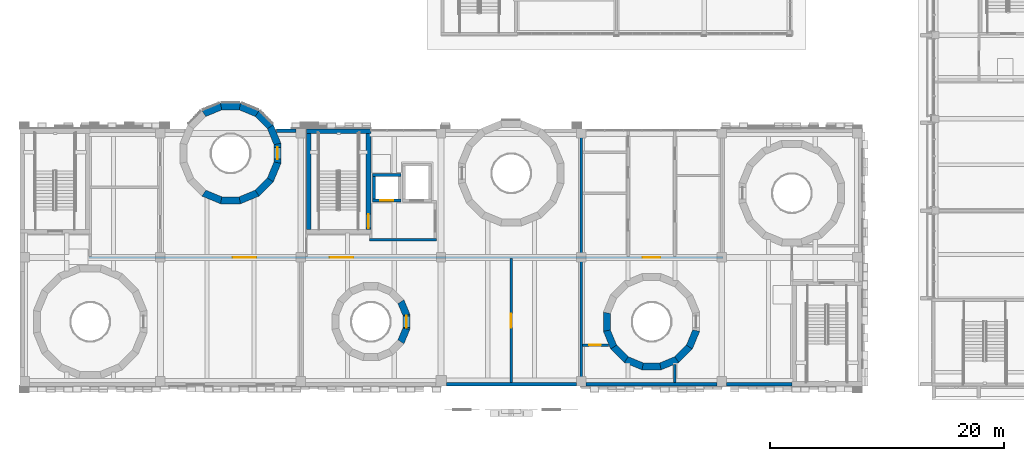
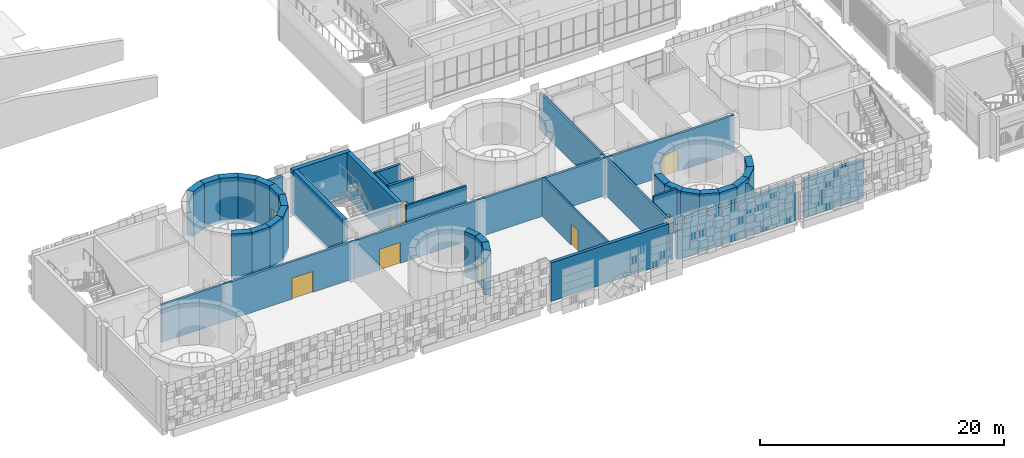
# One storey, part 47 of 92: 38 walls, 9 doors, 9 openings.
"""IFC4 building model written with IfcOpenShell, lengths in metres."""

from ifc_helpers import new_model, si_unit, direction, frame, frame_2d, origin, place, context, subcontext, project, spatial, polyline, rectangle, outline, extrude, material, layer, layer_set, type_object, element, fill, save


model = new_model("IFC4")

# Units and contexts
model_context = context("Model", 3, precision=1e-05, world=origin(), true_north=direction((0.0, 1.0)))
body_context = subcontext(model_context, "Body", "Model", "MODEL_VIEW")
ifc_project = project(units=[si_unit("LENGTHUNIT", "METRE"), si_unit("AREAUNIT", "SQUARE_METRE"), si_unit("VOLUMEUNIT", "CUBIC_METRE"), si_unit("PLANEANGLEUNIT", "RADIAN"), si_unit("MASSUNIT", "GRAM", prefix="KILO")], contexts=[model_context])

# Site, building, storey
site_placement = place(None, origin())
site = spatial("IfcSite", under=ifc_project, at=site_placement, CompositionType="ELEMENT")
building_placement = place(site_placement, origin())
building = spatial("IfcBuilding", under=site, at=building_placement, Name="Sun Court Science Centre", CompositionType="ELEMENT")
storey_placement = place(building_placement, frame((0.0, 0.0, 11.25)))
storey = spatial("IfcBuildingStorey", under=building, at=storey_placement, Name="L02", CompositionType="ELEMENT", Elevation=11.25)

# Walls
ifc_material_1 = material(Name="Clay masonry", Category="masonry")
ifc_layer_1 = layer(ifc_material_1, 0.300048828125)
ifc_layer_set_1 = layer_set([ifc_layer_1], Name="Clay masonry")
wall_type_1 = type_object("IfcWallType", Name="Clay masonry infill wall 300", PredefinedType="SOLIDWALL", material=ifc_layer_set_1)
wall_1_placement = place(storey_placement, frame((66.0, 6.14990234375, 0.0), z_axis=(0.0, 0.0, 1.0), x_axis=(-1.0, 0.0, 0.0)))
element("IfcWall", 1, at=wall_1_placement, inside=storey, type_object=wall_type_1, Name="External infill wall L02 south face 01", PredefinedType="SOLIDWALL", context=body_context, shape_type="SweptSolid", body=[
    extrude(rectangle(XDim=5.60009765625, YDim=0.300048828125, at=frame_2d((2.800048828125, 0.0))), origin(), (0.0, 0.0, 1.0), 3.860107421875),
])
wall_2_placement = place(storey_placement, frame((59.60009765625, 6.14990234375, 0.0), z_axis=(0.0, 0.0, 1.0), x_axis=(-1.0, 0.0, 0.0)))
element("IfcWall", 2, at=wall_2_placement, inside=storey, type_object=wall_type_1, Name="External infill wall L02 south face 02", PredefinedType="SOLIDWALL", context=body_context, shape_type="SweptSolid", body=[
    extrude(rectangle(XDim=11.2001953125, YDim=0.300048828125, at=frame_2d((5.60009765625, 0.0))), origin(), (0.0, 0.0, 1.0), 3.860107421875),
])
wall_3_placement = place(storey_placement, frame((47.60009765625, 6.14990234375, 0.0), z_axis=(0.0, 0.0, 1.0), x_axis=(-1.0, 0.0, 0.0)))
element("IfcWall", 3, at=wall_3_placement, inside=storey, type_object=wall_type_1, Name="External infill wall L02 south face 03", PredefinedType="SOLIDWALL", context=body_context, shape_type="SweptSolid", body=[
    extrude(rectangle(XDim=11.150146484375, YDim=0.300048828125, at=frame_2d((5.5751953125, 0.0))), origin(), (0.0, 0.0, 1.0), 3.860107421875),
])
wall_4_placement = place(storey_placement, frame((21.925537109375, 27.85009765625, 0.0), z_axis=(0.0, 0.0, 1.0), x_axis=(1.0, 0.0, 0.0)))
element("IfcWall", 4, at=wall_4_placement, inside=storey, type_object=wall_type_1, Name="External infill wall L02 north face 03", PredefinedType="SOLIDWALL", context=body_context, shape_type="SweptSolid", body=[
    extrude(rectangle(XDim=1.674560546875, YDim=0.300048828125, at=frame_2d((0.83740234375, 0.0))), origin(), (0.0, 0.0, 1.0), 3.860107421875),
])

# Wall, openings, doors
ifc_material_2 = material(Name="Concrete block", Category="concrete")
ifc_layer_2 = layer(ifc_material_2, 0.199951171875)
ifc_layer_set_2 = layer_set([ifc_layer_2], Name="Concrete block")
wall_type_2 = type_object("IfcWallType", Name="Partition 200 block EI60", PredefinedType="PARTITIONING", material=ifc_layer_set_2)
wall_5_placement = place(storey_placement, frame((5.89990234375, 17.0, 0.0), z_axis=(0.0, 0.0, 1.0), x_axis=(1.0, 0.0, 0.0)))
wall_5 = element("IfcWall", 5, at=wall_5_placement, inside=storey, type_object=wall_type_2, Name="L02 partition 002", PredefinedType="PARTITIONING", context=body_context, shape_type="SweptSolid", body=[
    extrude(rectangle(XDim=54.2001953125, YDim=0.199951171875, at=frame_2d((27.10009765625, 0.0))), origin(), (0.0, 0.0, 1.0), 3.75),
])
opening_1_placement = place(wall_5_placement, frame((12.300048828125, 0.0, 0.0)))
opening_1 = element("IfcOpeningElement", 6, at=opening_1_placement, cuts=wall_5, Name="Opening D-L02-012", PredefinedType="OPENING", context=body_context, shape_type="SweptSolid", body=[
    extrude(rectangle(XDim=2.0, YDim=2.10009765625, at=frame_2d((1.0, 1.050048828125))), frame((0.0, 0.10986328125, 0.0), z_axis=(0.0, -1.0, 0.0), x_axis=(1.0, 0.0, 0.0)), (0.0, 0.0, 1.0), 0.219970703125),
])
opening_2_placement = place(wall_5_placement, frame((20.59912109375, 0.0, 0.0)))
opening_2 = element("IfcOpeningElement", 7, at=opening_2_placement, cuts=wall_5, Name="Opening D-L02-015", PredefinedType="OPENING", context=body_context, shape_type="SweptSolid", body=[
    extrude(rectangle(XDim=2.0, YDim=2.10009765625, at=frame_2d((1.0, 1.050048828125))), frame((0.0, 0.10986328125, 0.0), z_axis=(0.0, -1.0, 0.0), x_axis=(1.0, 0.0, 0.0)), (0.0, 0.0, 1.0), 0.219970703125),
])
opening_3_placement = place(wall_5_placement, frame((47.35009765625, 0.0, 0.0)))
opening_3 = element("IfcOpeningElement", 8, at=opening_3_placement, cuts=wall_5, Name="Opening D-L02-019", PredefinedType="OPENING", context=body_context, shape_type="SweptSolid", body=[
    extrude(rectangle(XDim=1.5, YDim=2.10009765625, at=frame_2d((0.75, 1.050048828125))), frame((0.0, 0.10986328125, 0.0), z_axis=(0.0, -1.0, 0.0), x_axis=(1.0, 0.0, 0.0)), (0.0, 0.0, 1.0), 0.219970703125),
])
ifc_material_3 = material(Name="Timber", Category="wood")
door_type_1 = type_object("IfcDoorType", Name="Door 1500x2100 double leaf", OperationType="DOUBLE_DOOR_SINGLE_SWING", PredefinedType="DOOR", material=ifc_material_3)
door_1_placement = place(opening_3_placement, origin())
door_1 = element("IfcDoor", 9, at=door_1_placement, inside=storey, type_object=door_type_1, Name="Door D-L02-019", OperationType="DOUBLE_DOOR_SINGLE_SWING", OverallHeight=2.10009765625, OverallWidth=1.5, PredefinedType="DOOR", context=body_context, shape_type="SweptSolid", body=[
    extrude(rectangle(XDim=1.5, YDim=2.10009765625, at=frame_2d((0.75, 1.050048828125))), frame((0.0, 0.02490234375, 0.0), z_axis=(0.0, -1.0, 0.0), x_axis=(1.0, 0.0, 0.0)), (0.0, 0.0, 1.0), 0.050048828125),
])
fill(opening_3, door_1)
ifc_material_4 = material(Name="Timber", Category="wood")
door_type_2 = type_object("IfcDoorType", Name="Door 2000x2100 double leaf", OperationType="DOUBLE_DOOR_SINGLE_SWING", PredefinedType="DOOR", material=ifc_material_4)
door_2_placement = place(opening_1_placement, origin())
door_2 = element("IfcDoor", 10, at=door_2_placement, inside=storey, type_object=door_type_2, Name="Door D-L02-012", OperationType="DOUBLE_DOOR_SINGLE_SWING", OverallHeight=2.10009765625, OverallWidth=2.0, PredefinedType="DOOR", context=body_context, shape_type="SweptSolid", body=[
    extrude(rectangle(XDim=2.0, YDim=2.10009765625, at=frame_2d((1.0, 1.050048828125))), frame((0.0, 0.02490234375, 0.0), z_axis=(0.0, -1.0, 0.0), x_axis=(1.0, 0.0, 0.0)), (0.0, 0.0, 1.0), 0.050048828125),
])
fill(opening_1, door_2)
door_3_placement = place(opening_2_placement, origin())
door_3 = element("IfcDoor", 11, at=door_3_placement, inside=storey, type_object=door_type_2, Name="Door D-L02-015", OperationType="DOUBLE_DOOR_SINGLE_SWING", OverallHeight=2.10009765625, OverallWidth=2.0, PredefinedType="DOOR", context=body_context, shape_type="SweptSolid", body=[
    extrude(rectangle(XDim=2.0, YDim=2.10009765625, at=frame_2d((1.0, 1.050048828125))), frame((0.0, 0.02490234375, 0.0), z_axis=(0.0, -1.0, 0.0), x_axis=(1.0, 0.0, 0.0)), (0.0, 0.0, 1.0), 0.050048828125),
])
fill(opening_2, door_3)

# Wall
wall_6_placement = place(storey_placement, frame((29.89990234375, 18.5, 0.0), z_axis=(0.0, 0.0, 1.0), x_axis=(1.0, 0.0, 0.0)))
element("IfcWall", 12, at=wall_6_placement, inside=storey, type_object=wall_type_2, Name="L02 partition 004", PredefinedType="PARTITIONING", context=body_context, shape_type="SweptSolid", body=[
    extrude(rectangle(XDim=5.7001953125, YDim=0.199951171875, at=frame_2d((2.85009765625, 0.0))), origin(), (0.0, 0.0, 1.0), 4.35009765625),
])

# Wall, opening, door
wall_7_placement = place(storey_placement, frame((42.0, 16.89990234375, 0.0), z_axis=(0.0, 0.0, 1.0), x_axis=(0.0, -1.0, 0.0)))
wall_7 = element("IfcWall", 13, at=wall_7_placement, inside=storey, type_object=wall_type_2, Name="L02 partition 016", PredefinedType="PARTITIONING", context=body_context, shape_type="SweptSolid", body=[
    extrude(rectangle(XDim=10.597900390625, YDim=0.199951171875, at=frame_2d((5.298828125, 0.0))), origin(), (0.0, 0.0, 1.0), 3.860107421875),
])
opening_4_placement = place(wall_7_placement, frame((4.699951171875, 0.0, 0.0)))
opening_4 = element("IfcOpeningElement", 14, at=opening_4_placement, cuts=wall_7, Name="Opening D-L02-016", PredefinedType="OPENING", context=body_context, shape_type="SweptSolid", body=[
    extrude(rectangle(XDim=1.199951171875, YDim=2.10009765625, at=frame_2d((0.60009765625, 1.050048828125))), frame((0.0, 0.10986328125, 0.0), z_axis=(0.0, -1.0, 0.0), x_axis=(1.0, 0.0, 0.0)), (0.0, 0.0, 1.0), 0.219970703125),
])
ifc_material_5 = material(Name="Steel", Category="steel")
door_type_3 = type_object("IfcDoorType", Name="Door 1200x2100 single leaf FD30S", OperationType="NOTDEFINED", PredefinedType="DOOR", material=ifc_material_5)
door_4_placement = place(opening_4_placement, origin())
door_4 = element("IfcDoor", 15, at=door_4_placement, inside=storey, type_object=door_type_3, Name="Door D-L02-016", OperationType="SINGLE_SWING_LEFT", OverallHeight=2.10009765625, OverallWidth=1.199951171875, PredefinedType="DOOR", context=body_context, shape_type="SweptSolid", body=[
    extrude(rectangle(XDim=1.199951171875, YDim=2.10009765625, at=frame_2d((0.60009765625, 1.050048828125))), frame((0.0, 0.02490234375, 0.0), z_axis=(0.0, -1.0, 0.0), x_axis=(1.0, 0.0, 0.0)), (0.0, 0.0, 1.0), 0.050048828125),
])
fill(opening_4, door_4)

ifc_material_6 = material(Name="Gypsum board")
ifc_layer_3 = layer(ifc_material_6, 0.199951171875)
ifc_layer_set_3 = layer_set([ifc_layer_3], Name="Gypsum board")
wall_type_3 = type_object("IfcWallType", Name="Partition 200 stud EI30", PredefinedType="PARTITIONING", material=ifc_layer_set_3)
wall_8_placement = place(storey_placement, frame((50.332275390625, 9.5, 0.0), z_axis=(0.0, 0.0, 1.0), x_axis=(-1.0, 0.0, 0.0)))
wall_8 = element("IfcWall", 16, at=wall_8_placement, inside=storey, type_object=wall_type_3, Name="L02 partition 001", PredefinedType="PARTITIONING", context=body_context, shape_type="SweptSolid", body=[
    extrude(rectangle(XDim=2.232177734375, YDim=0.199951171875, at=frame_2d((1.1162109375, 0.0))), origin(), (0.0, 0.0, 1.0), 4.35009765625),
])
opening_5_placement = place(wall_8_placement, frame((0.67333984375, 0.0, 0.0)))
opening_5 = element("IfcOpeningElement", 17, at=opening_5_placement, cuts=wall_8, Name="Opening D-L02-018", PredefinedType="OPENING", context=body_context, shape_type="SweptSolid", body=[
    extrude(rectangle(XDim=1.0, YDim=2.10009765625, at=frame_2d((0.5, 1.050048828125))), frame((0.0, 0.10986328125, 0.0), z_axis=(0.0, -1.0, 0.0), x_axis=(1.0, 0.0, 0.0)), (0.0, 0.0, 1.0), 0.219970703125),
])
ifc_material_7 = material(Name="Timber", Category="wood")
door_type_4 = type_object("IfcDoorType", Name="Door 1000x2100 single leaf", OperationType="NOTDEFINED", PredefinedType="DOOR", material=ifc_material_7)
door_5_placement = place(opening_5_placement, origin())
door_5 = element("IfcDoor", 18, at=door_5_placement, inside=storey, type_object=door_type_4, Name="Door D-L02-018", OperationType="SINGLE_SWING_LEFT", OverallHeight=2.10009765625, OverallWidth=1.0, PredefinedType="DOOR", context=body_context, shape_type="SweptSolid", body=[
    extrude(rectangle(XDim=1.0, YDim=2.10009765625, at=frame_2d((0.5, 1.050048828125))), frame((0.0, 0.02490234375, 0.0), z_axis=(0.0, -1.0, 0.0), x_axis=(1.0, 0.0, 0.0)), (0.0, 0.0, 1.0), 0.050048828125),
])
fill(opening_5, door_5)

# Walls
wall_9_placement = place(storey_placement, frame((56.0, 6.302001953125, 0.0), z_axis=(0.0, 0.0, 1.0), x_axis=(0.0, 1.0, 0.0)))
element("IfcWall", 19, at=wall_9_placement, inside=storey, type_object=wall_type_3, Name="L02 partition 012", PredefinedType="PARTITIONING", context=body_context, shape_type="SweptSolid", body=[
    extrude(rectangle(XDim=1.5302734375, YDim=0.199951171875, at=frame_2d((0.76513671875, 0.0))), origin(), (0.0, 0.0, 1.0), 3.860107421875),
])
wall_10_placement = place(storey_placement, frame((48.0, 6.199951171875, 0.0), z_axis=(0.0, 0.0, 1.0), x_axis=(0.0, 1.0, 0.0)))
element("IfcWall", 20, at=wall_10_placement, inside=storey, type_object=wall_type_3, Name="L02 partition 015", PredefinedType="PARTITIONING", context=body_context, shape_type="SweptSolid", body=[
    extrude(rectangle(XDim=21.60009765625, YDim=0.199951171875, at=frame_2d((10.800048828125, 0.0))), origin(), (0.0, 0.0, 1.0), 3.75),
])
ifc_material_8 = material(Name="Concrete C30/37", Category="concrete")
ifc_layer_4 = layer(ifc_material_8, 0.60009765625)
ifc_layer_set_4 = layer_set([ifc_layer_4], Name="Concrete C30/37")
wall_type_4 = type_object("IfcWallType", Name="RC cone ring wall 600", PredefinedType="SHEAR", material=ifc_layer_set_4)
wall_11_placement = place(storey_placement, frame((22.038330078125, 26.6435546875, -0.300048828125), z_axis=(0.0, 0.0, 1.0), x_axis=(-0.382665770144, 0.923886848245, 0.0)))
element("IfcWall", 21, at=wall_11_placement, inside=storey, type_object=wall_type_4, Name="Cone 2 ring wall L02 segment 1", PredefinedType="SHEAR", context=body_context, shape_type="SweptSolid", body=[
    extrude(outline(polyline([(0.0, -0.2998046875), (1.716796875, -0.2998046875), (1.597412109375, 0.300048828125), (0.119140625, 0.300048828125), (0.0, -0.2998046875)])), origin(), (0.0, 0.0, 1.0), 4.5),
])
wall_12_placement = place(storey_placement, frame((21.4462890625, 28.13232421875, -0.300048828125), z_axis=(0.0, 0.0, 1.0), x_axis=(-0.707035675874, 0.707177879349, 0.0)))
element("IfcWall", 22, at=wall_12_placement, inside=storey, type_object=wall_type_4, Name="Cone 2 ring wall L02 segment 2", PredefinedType="SHEAR", context=body_context, shape_type="SweptSolid", body=[
    extrude(outline(polyline([(0.0, -0.300048828125), (1.716796875, -0.300048828125), (1.597412109375, 0.30029296875), (0.119140625, 0.2998046875), (0.0, -0.300048828125)])), origin(), (0.0, 0.0, 1.0), 4.5),
])
wall_13_placement = place(storey_placement, frame((20.32958984375, 29.28125, -0.300048828125), z_axis=(0.0, 0.0, 1.0), x_axis=(-0.923866021052, 0.382716050285, 0.0)))
element("IfcWall", 23, at=wall_13_placement, inside=storey, type_object=wall_type_4, Name="Cone 2 ring wall L02 segment 3", PredefinedType="SHEAR", context=body_context, shape_type="SweptSolid", body=[
    extrude(outline(polyline([(0.0, -0.30029296875), (1.716796875, -0.300048828125), (1.597412109375, 0.300048828125), (0.119384765625, 0.300048828125), (0.0, -0.30029296875)])), origin(), (0.0, 0.0, 1.0), 4.5),
])
wall_14_placement = place(storey_placement, frame((18.8583984375, 29.91552734375, -0.300048828125), z_axis=(0.0, 0.0, 1.0), x_axis=(-1.0, 0.0, 0.0)))
element("IfcWall", 24, at=wall_14_placement, inside=storey, type_object=wall_type_4, Name="Cone 2 ring wall L02 segment 4", PredefinedType="SHEAR", context=body_context, shape_type="SweptSolid", body=[
    extrude(outline(polyline([(0.0, -0.300048828125), (1.716796875, -0.300048828125), (1.597412109375, 0.300048828125), (0.119384765625, 0.300048828125), (0.0, -0.300048828125)])), origin(), (0.0, 0.0, 1.0), 4.5),
])
wall_15_placement = place(storey_placement, frame((17.25634765625, 29.938232421875, -0.300048828125), z_axis=(0.0, 0.0, 1.0), x_axis=(-0.923866021052, -0.382716050285, 0.0)))
element("IfcWall", 25, at=wall_15_placement, inside=storey, type_object=wall_type_4, Name="Cone 2 ring wall L02 segment 5", PredefinedType="SHEAR", context=body_context, shape_type="SweptSolid", body=[
    extrude(outline(polyline([(-0.000244140625, -0.300048828125), (1.716796875, -0.30029296875), (1.59716796875, 0.300048828125), (0.119140625, 0.300048828125), (-0.000244140625, -0.300048828125)])), origin(), (0.0, 0.0, 1.0), 4.5),
])
wall_16_placement = place(storey_placement, frame((15.67041015625, 22.518798828125, -0.300048828125), z_axis=(0.0, 0.0, 1.0), x_axis=(0.923866021052, -0.382716050285, 0.0)))
element("IfcWall", 26, at=wall_16_placement, inside=storey, type_object=wall_type_4, Name="Cone 2 ring wall L02 segment 11", PredefinedType="SHEAR", context=body_context, shape_type="SweptSolid", body=[
    extrude(outline(polyline([(0.0, -0.30029296875), (1.716796875, -0.300048828125), (1.597412109375, 0.300048828125), (0.119384765625, 0.300048828125), (0.0, -0.30029296875)])), origin(), (0.0, 0.0, 1.0), 4.5),
])
wall_17_placement = place(storey_placement, frame((17.1416015625, 21.884521484375, -0.300048828125), z_axis=(0.0, 0.0, 1.0), x_axis=(1.0, 0.0, 0.0)))
element("IfcWall", 27, at=wall_17_placement, inside=storey, type_object=wall_type_4, Name="Cone 2 ring wall L02 segment 12", PredefinedType="SHEAR", context=body_context, shape_type="SweptSolid", body=[
    extrude(outline(polyline([(0.0, -0.300048828125), (1.716796875, -0.300048828125), (1.597412109375, 0.300048828125), (0.119384765625, 0.300048828125), (0.0, -0.300048828125)])), origin(), (0.0, 0.0, 1.0), 4.5),
])
wall_18_placement = place(storey_placement, frame((18.74365234375, 21.86181640625, -0.300048828125), z_axis=(0.0, 0.0, 1.0), x_axis=(0.923866021052, 0.382716050285, 0.0)))
element("IfcWall", 28, at=wall_18_placement, inside=storey, type_object=wall_type_4, Name="Cone 2 ring wall L02 segment 13", PredefinedType="SHEAR", context=body_context, shape_type="SweptSolid", body=[
    extrude(outline(polyline([(-0.000244140625, -0.300048828125), (1.716796875, -0.30029296875), (1.59716796875, 0.300048828125), (0.119140625, 0.300048828125), (-0.000244140625, -0.300048828125)])), origin(), (0.0, 0.0, 1.0), 4.5),
])
wall_19_placement = place(storey_placement, frame((20.232421875, 22.45361328125, -0.300048828125), z_axis=(0.0, 0.0, 1.0), x_axis=(0.707035675874, 0.707177879349, 0.0)))
element("IfcWall", 29, at=wall_19_placement, inside=storey, type_object=wall_type_4, Name="Cone 2 ring wall L02 segment 14", PredefinedType="SHEAR", context=body_context, shape_type="SweptSolid", body=[
    extrude(outline(polyline([(0.0, -0.300048828125), (1.716796875, -0.300048828125), (1.59765625, 0.2998046875), (0.119384765625, 0.30029296875), (0.0, -0.300048828125)])), origin(), (0.0, 0.0, 1.0), 4.5),
])
wall_20_placement = place(storey_placement, frame((21.38134765625, 23.5703125, -0.300048828125), z_axis=(0.0, 0.0, 1.0), x_axis=(0.382665770144, 0.923886848245, 0.0)))
element("IfcWall", 30, at=wall_20_placement, inside=storey, type_object=wall_type_4, Name="Cone 2 ring wall L02 segment 15", PredefinedType="SHEAR", context=body_context, shape_type="SweptSolid", body=[
    extrude(outline(polyline([(0.0, -0.2998046875), (1.716552734375, -0.300048828125), (1.597412109375, 0.2998046875), (0.119384765625, 0.300048828125), (0.0, -0.2998046875)])), origin(), (0.0, 0.0, 1.0), 4.5),
])

# Wall, opening, door
wall_21_placement = place(storey_placement, frame((22.015380859375, 25.04150390625, -0.300048828125), z_axis=(0.0, 0.0, 1.0), x_axis=(0.0, 1.0, 0.0)))
wall_21 = element("IfcWall", 31, at=wall_21_placement, inside=storey, type_object=wall_type_4, Name="Cone 2 ring wall L02 segment 16", PredefinedType="SHEAR", context=body_context, shape_type="SweptSolid", body=[
    extrude(outline(polyline([(0.0, -0.300048828125), (1.716796875, -0.300048828125), (1.597412109375, 0.2998046875), (0.119384765625, 0.2998046875), (0.0, -0.300048828125)])), origin(), (0.0, 0.0, 1.0), 4.5),
])
opening_6_placement = place(wall_21_placement, frame((0.3583984375, 0.0, 0.300048828125)))
opening_6 = element("IfcOpeningElement", 32, at=opening_6_placement, cuts=wall_21, Name="Opening D-L02-022", PredefinedType="OPENING", context=body_context, shape_type="SweptSolid", body=[
    extrude(rectangle(XDim=1.0, YDim=2.199951171875, at=frame_2d((0.5, 1.10009765625))), frame((0.0, 0.31005859375, 0.0), z_axis=(0.0, -1.0, 0.0), x_axis=(1.0, 0.0, 0.0)), (0.0, 0.0, 1.0), 0.6201171875),
])
ifc_material_9 = material(Name="Timber", Category="wood")
door_type_5 = type_object("IfcDoorType", Name="Door 1000x2200 single leaf", OperationType="NOTDEFINED", PredefinedType="DOOR", material=ifc_material_9)
door_6_placement = place(opening_6_placement, origin())
door_6 = element("IfcDoor", 33, at=door_6_placement, inside=storey, type_object=door_type_5, Name="Door D-L02-022", OperationType="SINGLE_SWING_RIGHT", OverallHeight=2.199951171875, OverallWidth=1.0, PredefinedType="DOOR", context=body_context, shape_type="SweptSolid", body=[
    extrude(rectangle(XDim=1.0, YDim=2.199951171875, at=frame_2d((0.5, 1.10009765625))), frame((0.0, 0.02490234375, 0.0), z_axis=(0.0, -1.0, 0.0), x_axis=(1.0, 0.0, 0.0)), (0.0, 0.0, 1.0), 0.050048828125),
])
fill(opening_6, door_6)

# Walls
wall_22_placement = place(storey_placement, frame((33.0576171875, 12.048583984375, -0.300048828125), z_axis=(0.0, 0.0, 1.0), x_axis=(-0.382785205205, 0.923837370253, 0.0)))
element("IfcWall", 34, at=wall_22_placement, inside=storey, type_object=wall_type_4, Name="Cone 3 ring wall L02 segment 1", PredefinedType="SHEAR", context=body_context, shape_type="SweptSolid", body=[
    extrude(outline(polyline([(0.0, -0.2998046875), (1.32666015625, -0.2998046875), (1.207275390625, 0.300048828125), (0.119384765625, 0.30029296875), (0.0, -0.2998046875)])), origin(), (0.0, 0.0, 1.0), 4.5),
])
wall_23_placement = place(storey_placement, frame((32.5498046875, 9.725830078125, -0.300048828125), z_axis=(0.0, 0.0, 1.0), x_axis=(0.382785205205, 0.923837370253, 0.0)))
element("IfcWall", 35, at=wall_23_placement, inside=storey, type_object=wall_type_4, Name="Cone 3 ring wall L02 segment 15", PredefinedType="SHEAR", context=body_context, shape_type="SweptSolid", body=[
    extrude(outline(polyline([(0.0, -0.2998046875), (1.32666015625, -0.2998046875), (1.207275390625, 0.30029296875), (0.119384765625, 0.300048828125), (0.0, -0.2998046875)])), origin(), (0.0, 0.0, 1.0), 4.5),
])

# Wall, opening, door
wall_24_placement = place(storey_placement, frame((33.03466796875, 10.836669921875, -0.300048828125), z_axis=(0.0, 0.0, 1.0), x_axis=(0.0, 1.0, 0.0)))
wall_24 = element("IfcWall", 36, at=wall_24_placement, inside=storey, type_object=wall_type_4, Name="Cone 3 ring wall L02 segment 16", PredefinedType="SHEAR", context=body_context, shape_type="SweptSolid", body=[
    extrude(outline(polyline([(0.0, -0.300048828125), (1.32666015625, -0.300048828125), (1.207275390625, 0.300048828125), (0.119384765625, 0.300048828125), (0.0, -0.300048828125)])), origin(), (0.0, 0.0, 1.0), 4.5),
])
opening_7_placement = place(wall_24_placement, frame((0.163330078125, 0.0, 0.300048828125)))
opening_7 = element("IfcOpeningElement", 37, at=opening_7_placement, cuts=wall_24, Name="Opening D-L02-023", PredefinedType="OPENING", context=body_context, shape_type="SweptSolid", body=[
    extrude(rectangle(XDim=1.0, YDim=2.199951171875, at=frame_2d((0.5, 1.10009765625))), frame((0.0, 0.31005859375, 0.0), z_axis=(0.0, -1.0, 0.0), x_axis=(1.0, 0.0, 0.0)), (0.0, 0.0, 1.0), 0.6201171875),
])
door_7_placement = place(opening_7_placement, origin())
door_7 = element("IfcDoor", 38, at=door_7_placement, inside=storey, type_object=door_type_5, Name="Door D-L02-023", OperationType="SINGLE_SWING_LEFT", OverallHeight=2.199951171875, OverallWidth=1.0, PredefinedType="DOOR", context=body_context, shape_type="SweptSolid", body=[
    extrude(rectangle(XDim=1.0, YDim=2.199951171875, at=frame_2d((0.5, 1.10009765625))), frame((0.0, 0.02490234375, 0.0), z_axis=(0.0, -1.0, 0.0), x_axis=(1.0, 0.0, 0.0)), (0.0, 0.0, 1.0), 0.050048828125),
])
fill(opening_7, door_7)

# Walls
wall_25_placement = place(storey_placement, frame((50.1806640625, 12.3193359375, -0.300048828125), z_axis=(0.0, 0.0, 1.0), x_axis=(0.0, -1.0, 0.0)))
element("IfcWall", 39, at=wall_25_placement, inside=storey, type_object=wall_type_4, Name="Cone 5 ring wall L02 segment 8", PredefinedType="SHEAR", context=body_context, shape_type="SweptSolid", body=[
    extrude(outline(polyline([(0.0, -0.300048828125), (1.638671875, -0.300048828125), (1.519287109375, 0.300048828125), (0.119384765625, 0.300048828125), (0.0, -0.300048828125)])), origin(), (0.0, 0.0, 1.0), 4.5),
])
wall_26_placement = place(storey_placement, frame((50.157958984375, 10.79541015625, -0.300048828125), z_axis=(0.0, 0.0, 1.0), x_axis=(0.382614973625, -0.923907886078, 0.0)))
element("IfcWall", 40, at=wall_26_placement, inside=storey, type_object=wall_type_4, Name="Cone 5 ring wall L02 segment 9", PredefinedType="SHEAR", context=body_context, shape_type="SweptSolid", body=[
    extrude(outline(polyline([(0.0, -0.300048828125), (1.638916015625, -0.300048828125), (1.519287109375, 0.30029296875), (0.119140625, 0.300048828125), (0.0, -0.300048828125)])), origin(), (0.0, 0.0, 1.0), 4.5),
])
wall_27_placement = place(storey_placement, frame((50.719970703125, 9.378662109375, -0.300048828125), z_axis=(0.0, 0.0, 1.0), x_axis=(0.707106781187, -0.707106781187, 0.0)))
element("IfcWall", 41, at=wall_27_placement, inside=storey, type_object=wall_type_4, Name="Cone 5 ring wall L02 segment 10", PredefinedType="SHEAR", context=body_context, shape_type="SweptSolid", body=[
    extrude(outline(polyline([(0.0, -0.300048828125), (1.638671875, -0.300048828125), (1.519287109375, 0.30029296875), (0.119384765625, 0.30029296875), (0.0, -0.300048828125)])), origin(), (0.0, 0.0, 1.0), 4.5),
])
wall_28_placement = place(storey_placement, frame((51.781494140625, 8.284912109375, -0.300048828125), z_axis=(0.0, 0.0, 1.0), x_axis=(0.923907886078, -0.382614973625, 0.0)))
element("IfcWall", 42, at=wall_28_placement, inside=storey, type_object=wall_type_4, Name="Cone 5 ring wall L02 segment 11", PredefinedType="SHEAR", context=body_context, shape_type="SweptSolid", body=[
    extrude(outline(polyline([(-0.000244140625, -0.300048828125), (1.638671875, -0.300048828125), (1.519287109375, 0.300048828125), (0.119384765625, 0.30029296875), (-0.000244140625, -0.300048828125)])), origin(), (0.0, 0.0, 1.0), 4.5),
])
wall_29_placement = place(storey_placement, frame((53.1806640625, 7.6806640625, -0.300048828125), z_axis=(0.0, 0.0, 1.0), x_axis=(1.0, 0.0, 0.0)))
element("IfcWall", 43, at=wall_29_placement, inside=storey, type_object=wall_type_4, Name="Cone 5 ring wall L02 segment 12", PredefinedType="SHEAR", context=body_context, shape_type="SweptSolid", body=[
    extrude(outline(polyline([(0.0, -0.300048828125), (1.638671875, -0.300048828125), (1.519287109375, 0.300048828125), (0.119384765625, 0.300048828125), (0.0, -0.300048828125)])), origin(), (0.0, 0.0, 1.0), 4.5),
])
wall_30_placement = place(storey_placement, frame((54.70458984375, 7.657958984375, -0.300048828125), z_axis=(0.0, 0.0, 1.0), x_axis=(0.923907886078, 0.382614973625, 0.0)))
element("IfcWall", 44, at=wall_30_placement, inside=storey, type_object=wall_type_4, Name="Cone 5 ring wall L02 segment 13", PredefinedType="SHEAR", context=body_context, shape_type="SweptSolid", body=[
    extrude(outline(polyline([(0.0, -0.300048828125), (1.638916015625, -0.300048828125), (1.519287109375, 0.30029296875), (0.119140625, 0.300048828125), (0.0, -0.300048828125)])), origin(), (0.0, 0.0, 1.0), 4.5),
])
wall_31_placement = place(storey_placement, frame((56.121337890625, 8.219970703125, -0.300048828125), z_axis=(0.0, 0.0, 1.0), x_axis=(0.707106781187, 0.707106781187, 0.0)))
element("IfcWall", 45, at=wall_31_placement, inside=storey, type_object=wall_type_4, Name="Cone 5 ring wall L02 segment 14", PredefinedType="SHEAR", context=body_context, shape_type="SweptSolid", body=[
    extrude(outline(polyline([(0.0, -0.300048828125), (1.638671875, -0.300048828125), (1.519287109375, 0.30029296875), (0.119384765625, 0.30029296875), (0.0, -0.300048828125)])), origin(), (0.0, 0.0, 1.0), 4.5),
])
wall_32_placement = place(storey_placement, frame((57.215087890625, 9.281494140625, -0.300048828125), z_axis=(0.0, 0.0, 1.0), x_axis=(0.382614973625, 0.923907886078, 0.0)))
element("IfcWall", 46, at=wall_32_placement, inside=storey, type_object=wall_type_4, Name="Cone 5 ring wall L02 segment 15", PredefinedType="SHEAR", context=body_context, shape_type="SweptSolid", body=[
    extrude(outline(polyline([(-0.000244140625, -0.300048828125), (1.638671875, -0.300048828125), (1.519287109375, 0.300048828125), (0.119384765625, 0.30029296875), (-0.000244140625, -0.300048828125)])), origin(), (0.0, 0.0, 1.0), 4.5),
])

# Wall, opening, door
ifc_material_10 = material(Name="Concrete C30/37", Category="concrete")
ifc_layer_5 = layer(ifc_material_10, 0.25)
ifc_layer_set_5 = layer_set([ifc_layer_5], Name="Concrete C30/37")
wall_type_5 = type_object("IfcWallType", Name="RC shaft wall 250", PredefinedType="SHEAR", material=ifc_layer_set_5)
wall_33_placement = place(storey_placement, frame((30.1474609375, 21.87255859375, -0.300048828125), z_axis=(0.0, 0.0, 1.0), x_axis=(1.0, 0.0, 0.0)))
wall_33 = element("IfcWall", 47, at=wall_33_placement, inside=storey, type_object=wall_type_5, Name="Lift core LB1 wall S, L02", PredefinedType="SHEAR", context=body_context, shape_type="SweptSolid", body=[
    extrude(rectangle(XDim=2.425048828125, YDim=0.25, at=frame_2d((1.21240234375, 0.0))), origin(), (0.0, 0.0, 1.0), 4.5),
])
opening_8_placement = place(wall_33_placement, frame((0.66259765625, 0.0, 0.300048828125)))
opening_8 = element("IfcOpeningElement", 48, at=opening_8_placement, cuts=wall_33, Name="Opening D-L02-009", PredefinedType="OPENING", context=body_context, shape_type="SweptSolid", body=[
    extrude(rectangle(XDim=1.10009765625, YDim=2.10009765625, at=frame_2d((0.550048828125, 1.050048828125))), frame((0.0, 0.135009765625, 0.0), z_axis=(0.0, -1.0, 0.0), x_axis=(1.0, 0.0, 0.0)), (0.0, 0.0, 1.0), 0.27001953125),
])
ifc_material_11 = material(Name="Steel", Category="steel")
door_type_6 = type_object("IfcDoorType", Name="Lift landing door 1100x2100 sliding", OperationType="DOUBLE_DOOR_SLIDING", PredefinedType="DOOR", material=ifc_material_11)
door_8_placement = place(opening_8_placement, origin())
door_8 = element("IfcDoor", 49, at=door_8_placement, inside=storey, type_object=door_type_6, Name="Lift landing door D-L02-009", OperationType="DOUBLE_DOOR_SLIDING", OverallHeight=2.10009765625, OverallWidth=1.10009765625, PredefinedType="DOOR", context=body_context, shape_type="SweptSolid", body=[
    extrude(rectangle(XDim=1.10009765625, YDim=2.10009765625, at=frame_2d((0.550048828125, 1.050048828125))), frame((0.0, 0.02490234375, 0.0), z_axis=(0.0, -1.0, 0.0), x_axis=(1.0, 0.0, 0.0)), (0.0, 0.0, 1.0), 0.050048828125),
])
fill(opening_8, door_8)

# Walls
wall_34_placement = place(storey_placement, frame((30.1474609375, 24.047607421875, -0.300048828125), z_axis=(0.0, 0.0, 1.0), x_axis=(1.0, 0.0, 0.0)))
element("IfcWall", 50, at=wall_34_placement, inside=storey, type_object=wall_type_5, Name="Lift core LB1 wall N, L02", PredefinedType="SHEAR", context=body_context, shape_type="SweptSolid", body=[
    extrude(rectangle(XDim=2.425048828125, YDim=0.25, at=frame_2d((1.21240234375, 0.0))), origin(), (0.0, 0.0, 1.0), 4.5),
])
wall_35_placement = place(storey_placement, frame((30.2724609375, 21.99755859375, -0.300048828125), z_axis=(0.0, 0.0, 1.0), x_axis=(0.0, 1.0, 0.0)))
element("IfcWall", 51, at=wall_35_placement, inside=storey, type_object=wall_type_5, Name="Lift core LB1 wall W, L02", PredefinedType="SHEAR", context=body_context, shape_type="SweptSolid", body=[
    extrude(rectangle(XDim=1.925048828125, YDim=0.25, at=frame_2d((0.96240234375, 0.0))), origin(), (0.0, 0.0, 1.0), 4.5),
])

# Wall, opening, door
ifc_material_12 = material(Name="Concrete C30/37", Category="concrete")
ifc_layer_6 = layer(ifc_material_12, 0.39990234375)
ifc_layer_set_6 = layer_set([ifc_layer_6], Name="Concrete C30/37")
wall_type_6 = type_object("IfcWallType", Name="RC stair core wall 400", PredefinedType="SHEAR", material=ifc_layer_set_6)
wall_36_placement = place(storey_placement, frame((29.800048828125, 19.39990234375, -0.300048828125), z_axis=(0.0, 0.0, 1.0), x_axis=(0.0, 1.0, 0.0)))
wall_36 = element("IfcWall", 52, at=wall_36_placement, inside=storey, type_object=wall_type_6, Name="Stair core SB2 wall E, L02", PredefinedType="SHEAR", context=body_context, shape_type="SweptSolid", body=[
    extrude(rectangle(XDim=8.2001953125, YDim=0.39990234375, at=frame_2d((4.10009765625, 0.0))), origin(), (0.0, 0.0, 1.0), 4.5),
])
opening_9_placement = place(wall_36_placement, frame((0.10009765625, 0.0, 0.300048828125)))
opening_9 = element("IfcOpeningElement", 53, at=opening_9_placement, cuts=wall_36, Name="Opening D-L02-007", PredefinedType="OPENING", context=body_context, shape_type="SweptSolid", body=[
    extrude(rectangle(XDim=1.199951171875, YDim=2.199951171875, at=frame_2d((0.60009765625, 1.10009765625))), frame((0.0, 0.2099609375, 0.0), z_axis=(0.0, -1.0, 0.0), x_axis=(1.0, 0.0, 0.0)), (0.0, 0.0, 1.0), 0.419921875),
])
ifc_material_13 = material(Name="Steel", Category="steel")
door_type_7 = type_object("IfcDoorType", Name="Door 1200x2200 single leaf FD60", OperationType="NOTDEFINED", PredefinedType="DOOR", material=ifc_material_13)
door_9_placement = place(opening_9_placement, origin())
door_9 = element("IfcDoor", 54, at=door_9_placement, inside=storey, type_object=door_type_7, Name="Door D-L02-007", OperationType="SINGLE_SWING_RIGHT", OverallHeight=2.199951171875, OverallWidth=1.199951171875, PredefinedType="DOOR", context=body_context, shape_type="SweptSolid", body=[
    extrude(rectangle(XDim=1.199951171875, YDim=2.199951171875, at=frame_2d((0.60009765625, 1.10009765625))), frame((0.0, 0.02490234375, 0.0), z_axis=(0.0, -1.0, 0.0), x_axis=(1.0, 0.0, 0.0)), (0.0, 0.0, 1.0), 0.050048828125),
])
fill(opening_9, door_9)

# Walls
wall_37_placement = place(storey_placement, frame((24.5, 27.800048828125, -0.300048828125), z_axis=(0.0, 0.0, 1.0), x_axis=(1.0, 0.0, 0.0)))
element("IfcWall", 55, at=wall_37_placement, inside=storey, type_object=wall_type_6, Name="Stair core SB2 wall N, L02", PredefinedType="SHEAR", context=body_context, shape_type="SweptSolid", body=[
    extrude(rectangle(XDim=5.5, YDim=0.39990234375, at=frame_2d((2.75, 0.0))), origin(), (0.0, 0.0, 1.0), 4.5),
])
wall_38_placement = place(storey_placement, frame((24.699951171875, 19.39990234375, -0.300048828125), z_axis=(0.0, 0.0, 1.0), x_axis=(0.0, 1.0, 0.0)))
element("IfcWall", 56, at=wall_38_placement, inside=storey, type_object=wall_type_6, Name="Stair core SB2 wall W, L02", PredefinedType="SHEAR", context=body_context, shape_type="SweptSolid", body=[
    extrude(rectangle(XDim=8.2001953125, YDim=0.39990234375, at=frame_2d((4.10009765625, 0.0))), origin(), (0.0, 0.0, 1.0), 4.5),
])

save(model, "model.ifc")
